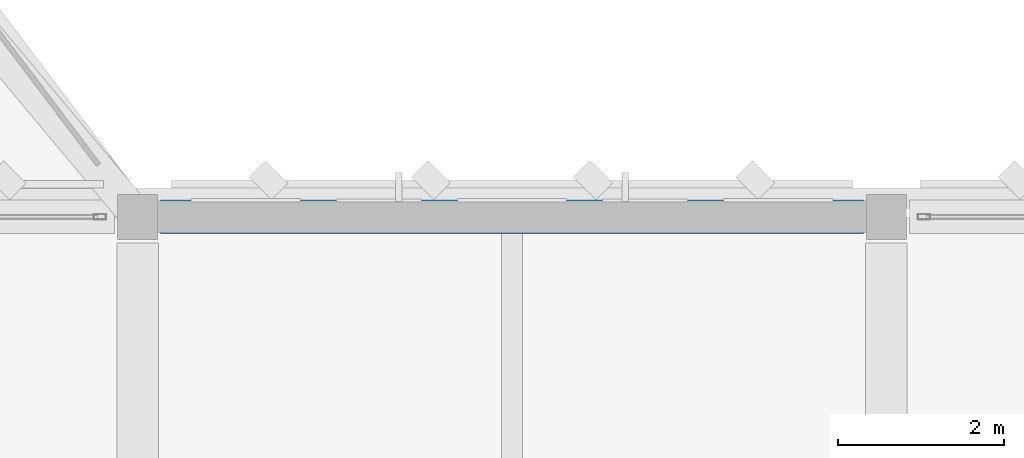
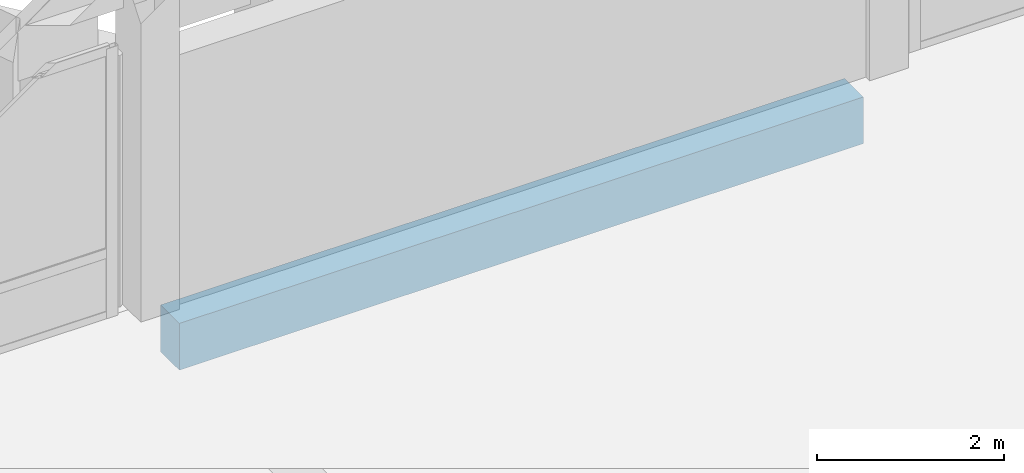
# One storey, part 39 of 72: 1 beam.
"""IFC4 building model written with IfcOpenShell, lengths in metres."""

from ifc_helpers import new_model, si_unit, direction, frame, origin, origin_2d, place, context, subcontext, project, spatial, rectangle, extrude, material, material_profile, profile_set, type_object, element, save


model = new_model("IFC4")

# Units and contexts
model_context = context("Model", 3, precision=1e-05, world=origin(), true_north=direction((0.0, 1.0)))
body_context = subcontext(model_context, "Body", "Model", "MODEL_VIEW")
ifc_project = project(units=[si_unit("LENGTHUNIT", "METRE"), si_unit("AREAUNIT", "SQUARE_METRE"), si_unit("VOLUMEUNIT", "CUBIC_METRE"), si_unit("PLANEANGLEUNIT", "RADIAN"), si_unit("MASSUNIT", "GRAM", prefix="KILO")], contexts=[model_context])

# Site, building, storey
site_placement = place(None, origin())
site = spatial("IfcSite", under=ifc_project, at=site_placement, CompositionType="ELEMENT")
building_placement = place(site_placement, origin())
building = spatial("IfcBuilding", under=site, at=building_placement, Name="Lusvemor Sports Hall", CompositionType="ELEMENT")
storey_placement = place(building_placement, frame((0.0, 0.0, 15.0)))
storey = spatial("IfcBuildingStorey", under=building, at=storey_placement, Name="L03", CompositionType="ELEMENT", Elevation=15.0)

# Beam
ifc_material = material(Name="Concrete C40/50", Category="concrete")
ifc_material_profile = material_profile(ifc_material, rectangle(XDim=0.39990234375, YDim=0.610107421875, at=origin_2d()), Name="RC400x610")
ifc_profile_set = profile_set([ifc_material_profile], Name="Concrete C40/50")
beam_type = type_object("IfcBeamType", Name="SPAND_EXT_650", PredefinedType="SPANDREL", material=ifc_profile_set)
beam_placement = place(storey_placement, frame((84.8759765625, 115.199951171875, -0.544921875), z_axis=(1.0, 0.0, 0.0), x_axis=(0.0, 1.0, 0.0)))
element("IfcBeam", 1, at=beam_placement, inside=storey, type_object=beam_type, Name="Beam L03 Q:9-10", PredefinedType="SPANDREL", context=body_context, shape_type="SweptSolid", body=[
    extrude(rectangle(XDim=0.39990234375, YDim=0.610107421875, at=origin_2d()), origin(), (0.0, 0.0, 1.0), 8.447998046875),
])

save(model, "model.ifc")
